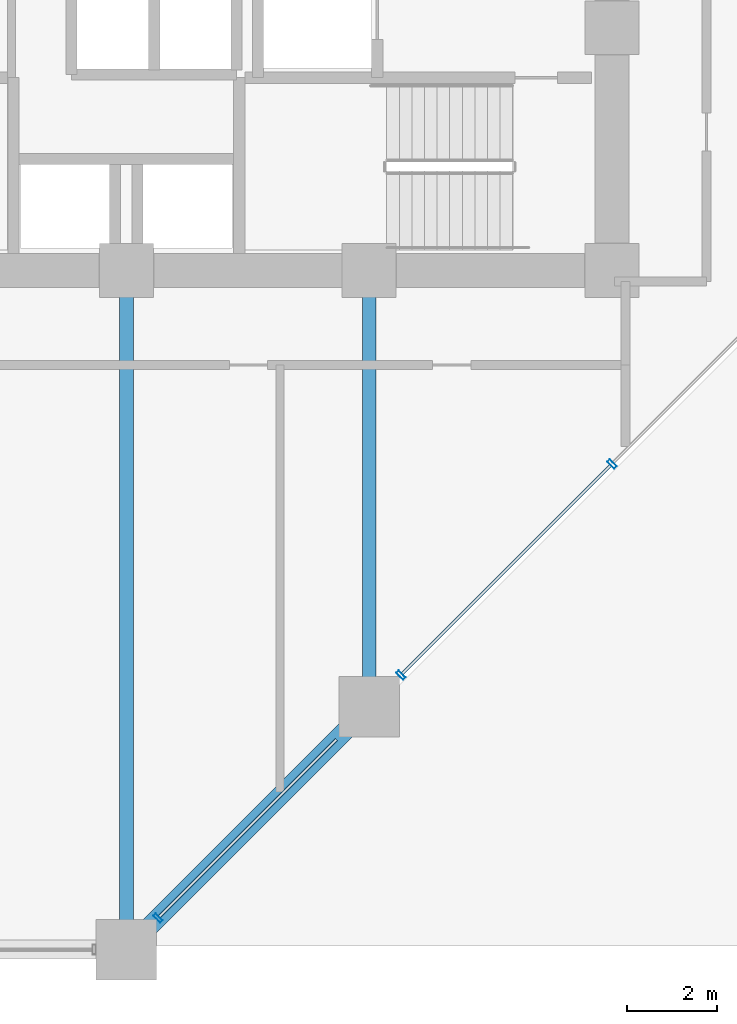
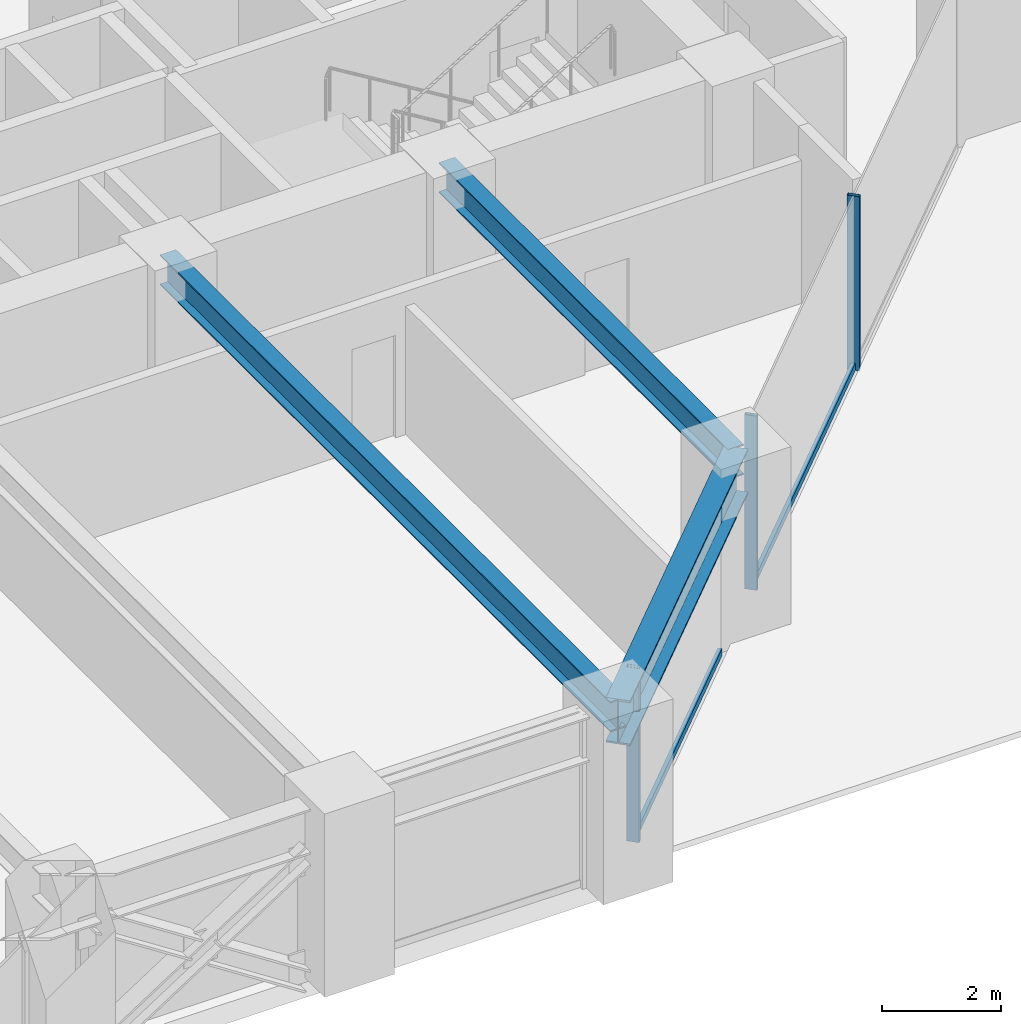
# One storey, part 7 of 27: 5 members, 3 beams, 1 element without a shape of its own.
"""IFC4 building model written with IfcOpenShell, lengths in metres."""

import ifcopenshell
import ifcopenshell.guid

model = None  # the IFC model being written
_history = None  # IfcOwnerHistory: only IFC2X3 demands one
_inside = {}  # id of a spatial element -> (the spatial element, [elements in it])
_under = {}  # id of a project, library or spatial element -> (it, [spatial elements below it])
_declared = {}  # id of a project -> (the project, [libraries it declares])
_typed = {}  # id of a type object -> (the type object, [elements of that type])
_made_of = {}  # id of a material, layer set ... -> (it, [elements and type objects made of it])


def new_model(schema):
    """Start an empty IFC model of exactly this schema.

    Asked for "IFC4X3", IfcOpenShell would pick the latest addendum, in which some entities
    have other attributes; the version numbers below select the first issue.
    IFC2X3 requires an IfcOwnerHistory on every rooted entity: one is made here for all.
    """
    global model, _history
    if schema == "IFC4X3":
        model = ifcopenshell.file(schema_version=(4, 3, 0, 0))
    else:
        model = ifcopenshell.file(schema=schema)
    _inside.clear()
    _under.clear()
    _declared.clear()
    _typed.clear()
    _made_of.clear()
    _history = None
    if model.schema == "IFC2X3":
        org = make("IfcOrganization", Name="unknown")
        user = make(
            "IfcPersonAndOrganization",
            ThePerson=make("IfcPerson", FamilyName="unknown"),
            TheOrganization=org,
        )
        app = make(
            "IfcApplication",
            ApplicationDeveloper=org,
            Version="unknown",
            ApplicationFullName="unknown",
            ApplicationIdentifier="unknown",
        )
        _history = make(
            "IfcOwnerHistory",
            OwningUser=user,
            OwningApplication=app,
            ChangeAction="ADDED",
            CreationDate=0,
        )
    return model


def make(cls, **values):
    """One entity of the class cls with the attributes given. An attribute that is None is left unset."""
    return model.create_entity(
        cls, **{name: value for name, value in values.items() if value is not None}
    )


def rooted(cls, **values):
    """An entity with a GlobalId (a new one), such as an element, a storey or a relation."""
    return make(cls, GlobalId=ifcopenshell.guid.new(), OwnerHistory=_history, **values)


def si_unit(unit_type, name, prefix=None):
    """IfcSIUnit, for example si_unit("LENGTHUNIT", "METRE", prefix="MILLI")."""
    return make("IfcSIUnit", UnitType=unit_type, Prefix=prefix, Name=name)


def assignment(units):
    """IfcUnitAssignment: the units of a project."""
    return None if units is None else make("IfcUnitAssignment", Units=units)


def point(xyz):
    """IfcCartesianPoint."""
    return None if xyz is None else make("IfcCartesianPoint", Coordinates=xyz)


def direction(xyz):
    """IfcDirection."""
    return None if xyz is None else make("IfcDirection", DirectionRatios=xyz)


def frame(location, z_axis=None, x_axis=None):
    """IfcAxis2Placement3D, a coordinate frame: its origin and axes. An axis left out is left unset."""
    return make(
        "IfcAxis2Placement3D",
        Location=point(location),
        Axis=direction(z_axis),
        RefDirection=direction(x_axis),
    )


def frame_2d(location, x_axis=None):
    """IfcAxis2Placement2D, a coordinate frame in the plane: its origin and x axis."""
    return make(
        "IfcAxis2Placement2D", Location=point(location), RefDirection=direction(x_axis)
    )


def origin():
    """The frame at (0, 0, 0) with its axes left unset."""
    return frame((0.0, 0.0, 0.0))


def origin_2d():
    """The frame at (0, 0) in the plane with its x axis left unset."""
    return frame_2d((0.0, 0.0))


def place(relative_to, where):
    """IfcLocalPlacement: puts the frame where relative to a parent placement (None: the world)."""
    return make(
        "IfcLocalPlacement", PlacementRelTo=relative_to, RelativePlacement=where
    )


def context(
    kind, dimensions, precision=None, world=None, true_north=None, identifier=None
):
    """IfcGeometricRepresentationContext, for example the 3D "Model" context."""
    return make(
        "IfcGeometricRepresentationContext",
        ContextIdentifier=identifier,
        ContextType=kind,
        CoordinateSpaceDimension=dimensions,
        Precision=precision,
        WorldCoordinateSystem=world,
        TrueNorth=true_north,
    )


def subcontext(parent, identifier, kind, view, scale=None):
    """IfcGeometricRepresentationSubContext, for example "Body" below "Model"."""
    return make(
        "IfcGeometricRepresentationSubContext",
        ContextIdentifier=identifier,
        ContextType=kind,
        ParentContext=parent,
        TargetScale=scale,
        TargetView=view,
    )


def project(units=None, contexts=None):
    """IfcProject with its units and contexts."""
    return rooted(
        "IfcProject",
        Name="project",
        RepresentationContexts=contexts,
        UnitsInContext=assignment(units),
    )


def spatial(cls, under=None, at=None, **own):
    """A site, building, storey or space (cls), placed at a placement, below another one or the project."""
    s = rooted(cls, ObjectPlacement=at, **own)
    if under is not None:
        _under.setdefault(under.id(), (under, []))[1].append(s)
    return s


def profile(cls, at=None, kind="AREA", **sizes):
    """A parametric profile (cls). Its sizes go by their IFC names, for example OverallWidth=200.0."""
    return make(cls, ProfileType=kind, Position=at, **sizes)


def hollow_rectangle(**sizes):
    """IfcRectangleHollowProfileDef."""
    return profile("IfcRectangleHollowProfileDef", **sizes)


def i_section(**sizes):
    """IfcIShapeProfileDef."""
    return profile("IfcIShapeProfileDef", **sizes)


def extrude(swept, where, along, depth):
    """IfcExtrudedAreaSolid: the profile swept, set in the frame where, extruded along a direction by depth."""
    return make(
        "IfcExtrudedAreaSolid",
        SweptArea=swept,
        Position=where,
        ExtrudedDirection=direction(along),
        Depth=depth,
    )


def shape(context_of_items, identifier, shape_type, items):
    """IfcShapeRepresentation: the items that make up one representation, for example the "Body"."""
    return make(
        "IfcShapeRepresentation",
        ContextOfItems=context_of_items,
        RepresentationIdentifier=identifier,
        RepresentationType=shape_type,
        Items=items,
    )


def material(Name=None, Category=None):
    """IfcMaterial."""
    return make("IfcMaterial", Name=Name, Category=Category)


def layer(
    of_material, thickness, ventilated=None, Name=None, Category=None, Priority=None
):
    """IfcMaterialLayer: one layer of a wall or slab, of a material (None: an air gap)."""
    return make(
        "IfcMaterialLayer",
        Material=of_material,
        LayerThickness=thickness,
        IsVentilated=ventilated,
        Name=Name,
        Category=Category,
        Priority=Priority,
    )


def layer_set(layers, Name=None):
    """IfcMaterialLayerSet."""
    return make("IfcMaterialLayerSet", MaterialLayers=layers, LayerSetName=Name)


def material_profile(
    of_material, cross_section, Name=None, Category=None, Priority=None
):
    """IfcMaterialProfile: a cross section and its material."""
    return make(
        "IfcMaterialProfile",
        Name=Name,
        Material=of_material,
        Profile=cross_section,
        Priority=Priority,
        Category=Category,
    )


def profile_set(profiles, Name=None, composite=None):
    """IfcMaterialProfileSet."""
    return make(
        "IfcMaterialProfileSet",
        Name=Name,
        MaterialProfiles=profiles,
        CompositeProfile=composite,
    )


def made_of(thing, what):
    """Note that an element or type object is made of a material, layer set ...; save() writes the relation."""
    if what is not None:
        _made_of.setdefault(what.id(), (what, []))[1].append(thing)
    return thing


def type_object(cls, material=None, **own):
    """A type object (cls), such as IfcWallType, which elements share."""
    return made_of(rooted(cls, **own), material)


def element(
    cls,
    number,
    at=None,
    inside=None,
    cuts=None,
    type_object=None,
    material=None,
    context=None,
    identifier="Body",
    shape_type=None,
    held_by="IfcProductDefinitionShape",
    body=None,
    shapes=None,
    **own,
):
    """One element of the class cls, such as IfcWall. Its Tag is "e" and its number.

    at: its placement. inside: the storey or other place that contains it. cuts: it is an
    opening in that element (IfcRelVoidsElement). A single representation is given by context,
    identifier, shape_type and body (its items); several are given by shapes. held_by: the class
    of the entity that holds the representations. save() writes the other relations.
    """
    e = rooted(cls, Tag="e%d" % number, ObjectPlacement=at, **own)
    if body is not None:
        shapes = [shape(context, identifier, shape_type, body)]
    if shapes is not None:
        e.Representation = make(held_by, Representations=shapes)
    if inside is not None:
        _inside.setdefault(inside.id(), (inside, []))[1].append(e)
    if cuts is not None:
        rooted(
            "IfcRelVoidsElement", RelatingBuildingElement=cuts, RelatedOpeningElement=e
        )
    if type_object is not None:
        _typed.setdefault(type_object.id(), (type_object, []))[1].append(e)
    return made_of(e, material)


def aggregate(whole, parts):
    """IfcRelAggregates: a whole, such as a stair, and the parts it consists of."""
    return rooted("IfcRelAggregates", RelatingObject=whole, RelatedObjects=parts)


def save(model, path):
    """Write the relations noted so far, then the file.

    IfcRelAggregates (storeys below a building ...), IfcRelContainedInSpatialStructure (elements
    in a storey), IfcRelDefinesByType, IfcRelAssociatesMaterial and IfcRelDeclares: one each for
    every whole, place, type object, material and project.
    """
    for whole, parts in _under.values():
        aggregate(whole, parts)
    for where, things in _inside.values():
        rooted(
            "IfcRelContainedInSpatialStructure",
            RelatedElements=things,
            RelatingStructure=where,
        )
    for kind, things in _typed.values():
        rooted("IfcRelDefinesByType", RelatedObjects=things, RelatingType=kind)
    for what, things in _made_of.values():
        rooted("IfcRelAssociatesMaterial", RelatedObjects=things, RelatingMaterial=what)
    for by, libraries in _declared.values():
        rooted("IfcRelDeclares", RelatingContext=by, RelatedDefinitions=libraries)
    model.write(path)


model = new_model("IFC4")

# Units and contexts
model_context = context("Model", 3, precision=1e-05, world=origin(), true_north=direction((0.0, 1.0)))
body_context = subcontext(model_context, "Body", "Model", "MODEL_VIEW")
ifc_project = project(units=[si_unit("LENGTHUNIT", "METRE"), si_unit("AREAUNIT", "SQUARE_METRE"), si_unit("VOLUMEUNIT", "CUBIC_METRE"), si_unit("PLANEANGLEUNIT", "RADIAN"), si_unit("MASSUNIT", "GRAM", prefix="KILO")], contexts=[model_context])

# Site, building, storey
site_placement = place(None, origin())
site = spatial("IfcSite", under=ifc_project, at=site_placement, CompositionType="ELEMENT")
building_placement = place(site_placement, origin())
building = spatial("IfcBuilding", under=site, at=building_placement, Name="Surkhivell Harbour Commons", CompositionType="ELEMENT")
storey_placement = place(building_placement, frame((0.0, 0.0, 22.5)))
storey = spatial("IfcBuildingStorey", under=building, at=storey_placement, Name="L05", CompositionType="ELEMENT", Elevation=22.5)

# Beams
ifc_material_1 = material(Name="Steel S355", Category="steel")
ifc_material_profile_1 = material_profile(ifc_material_1, i_section(OverallWidth=0.306884765625, OverallDepth=0.6201171875, WebThickness=0.01416015625, FlangeThickness=0.023681640625, at=origin_2d()), Name="UB610x305x179")
ifc_profile_set_1 = profile_set([ifc_material_profile_1], Name="Steel S355")
beam_type_1 = type_object("IfcBeamType", Name="BM-GRD-610A", PredefinedType="BEAM", material=ifc_profile_set_1)
beam_1_placement = place(storey_placement, frame((0.0, -25.89990234375, 3.260009765625), z_axis=(0.0, 1.0, 0.0), x_axis=(-1.0, 0.0, 0.0)))
element("IfcBeam", 1, at=beam_1_placement, inside=storey, type_object=beam_type_1, Name="L05 Floor Girder (0.0,-25.9)", PredefinedType="BEAM", context=body_context, shape_type="SweptSolid", body=[
    extrude(i_section(OverallWidth=0.306884765625, OverallDepth=0.6201171875, WebThickness=0.01416015625, FlangeThickness=0.023681640625, at=origin_2d()), origin(), (0.0, 0.0, 1.0), 15.099853515625),
])
beam_2_placement = place(storey_placement, frame((5.39990234375, -20.5, 3.260009765625), z_axis=(0.0, 1.0, 0.0), x_axis=(-1.0, 0.0, 0.0)))
element("IfcBeam", 2, at=beam_2_placement, inside=storey, type_object=beam_type_1, Name="L05 Floor Girder (5.4,-20.5)", PredefinedType="BEAM", context=body_context, shape_type="SweptSolid", body=[
    extrude(i_section(OverallWidth=0.306884765625, OverallDepth=0.6201171875, WebThickness=0.01416015625, FlangeThickness=0.023681640625, at=origin_2d()), origin(), (0.0, 0.0, 1.0), 9.699951171875),
])
ifc_material_2 = material(Name="Steel S460", Category="steel")
ifc_material_profile_2 = material_profile(ifc_material_2, i_section(OverallWidth=0.419921875, OverallDepth=0.9208984375, WebThickness=0.021484375, FlangeThickness=0.03662109375, at=origin_2d()), Name="UB914x419x388")
ifc_profile_set_2 = profile_set([ifc_material_profile_2], Name="Steel S460")
beam_type_2 = type_object("IfcBeamType", Name="BM-SPN-914A", PredefinedType="SPANDREL", material=ifc_profile_set_2)
beam_3_placement = place(storey_placement, frame((0.0, -25.89990234375, 3.109619140625), z_axis=(0.707106781187, 0.707106781187, 0.0), x_axis=(-0.707106781187, 0.707106781187, 0.0)))
element("IfcBeam", 3, at=beam_3_placement, inside=storey, type_object=beam_type_2, Name="L05 Tube Spandrel (-0.0,-25.9)", PredefinedType="SPANDREL", context=body_context, shape_type="SweptSolid", body=[
    extrude(i_section(OverallWidth=0.419921875, OverallDepth=0.9208984375, WebThickness=0.021484375, FlangeThickness=0.03662109375, at=origin_2d()), origin(), (0.0, 0.0, 1.0), 7.63671875),
])

# Curtain wall, members
ifc_material_3 = material(Name="Anodised pale-metal aluminium and insulated glazing", Category="aluminium")
ifc_layer = layer(ifc_material_3, 0.219970703125)
ifc_layer_set = layer_set([ifc_layer], Name="Anodised pale-metal aluminium and insulated glazing")
curtain_wall_type = type_object("IfcCurtainWallType", Name="CW-SYS-Z1", PredefinedType="NOTDEFINED", material=ifc_layer_set)
curtain_wall_placement = place(storey_placement, origin())
curtain_wall = element("IfcCurtainWall", 4, at=curtain_wall_placement, inside=storey, type_object=curtain_wall_type, Name="L05 Curtain Wall CW-L05-E01", PredefinedType="NOTDEFINED")
ifc_material_4 = material(Name="Anodised pale-metal aluminium alloy 6063-T6", Category="aluminium")
ifc_material_profile_3 = material_profile(ifc_material_4, hollow_rectangle(XDim=0.074951171875, YDim=0.219970703125, WallThickness=0.00390625, at=origin_2d()), Name="ALU-MULL-75x220")
ifc_profile_set_3 = profile_set([ifc_material_profile_3], Name="Anodised pale-metal aluminium alloy 6063-T6")
member_type_1 = type_object("IfcMemberType", Name="CWM-220", PredefinedType="MULLION", material=ifc_profile_set_3)
member_1_placement = place(storey_placement, frame((0.703369140625, -25.19677734375, 0.0), z_axis=(0.0, 0.0, 1.0), x_axis=(0.707106781187, 0.707106781187, 0.0)))
member_1 = element("IfcMember", 5, at=member_1_placement, type_object=member_type_1, Name="CW-Z1 mullion 1", PredefinedType="MULLION", context=body_context, shape_type="SweptSolid", body=[
    extrude(hollow_rectangle(XDim=0.074951171875, YDim=0.219970703125, WallThickness=0.00390625, at=origin_2d()), origin(), (0.0, 0.0, 1.0), 3.570068359375),
])
member_2_placement = place(storey_placement, frame((6.103271484375, -19.796630859375, 0.0), z_axis=(0.0, 0.0, 1.0), x_axis=(0.707106781187, 0.707106781187, 0.0)))
member_2 = element("IfcMember", 6, at=member_2_placement, type_object=member_type_1, Name="CW-Z1 mullion 2", PredefinedType="MULLION", context=body_context, shape_type="SweptSolid", body=[
    extrude(hollow_rectangle(XDim=0.074951171875, YDim=0.219970703125, WallThickness=0.00390625, at=origin_2d()), origin(), (0.0, 0.0, 1.0), 3.570068359375),
])
member_3_placement = place(storey_placement, frame((10.800048828125, -15.10009765625, 0.0), z_axis=(0.0, 0.0, 1.0), x_axis=(0.707106781187, 0.707106781187, 0.0)))
member_3 = element("IfcMember", 7, at=member_3_placement, type_object=member_type_1, Name="CW-Z1 mullion 3", PredefinedType="MULLION", context=body_context, shape_type="SweptSolid", body=[
    extrude(hollow_rectangle(XDim=0.074951171875, YDim=0.219970703125, WallThickness=0.00390625, at=origin_2d()), origin(), (0.0, 0.0, 1.0), 3.570068359375),
])
ifc_material_profile_4 = material_profile(ifc_material_4, hollow_rectangle(XDim=0.074951171875, YDim=0.14990234375, WallThickness=0.00341796875, at=origin_2d()), Name="ALU-TRAN-75x150")
ifc_profile_set_4 = profile_set([ifc_material_profile_4], Name="Anodised pale-metal aluminium alloy 6063-T6")
member_type_2 = type_object("IfcMemberType", Name="CWT-150", PredefinedType="USERDEFINED", material=ifc_profile_set_4)
member_4_placement = place(storey_placement, frame((0.729736328125, -25.170166015625, 0.074951171875), z_axis=(0.707106781187, 0.707106781187, 0.0), x_axis=(-0.707106781187, 0.707106781187, 0.0)))
member_4 = element("IfcMember", 8, at=member_4_placement, type_object=member_type_2, Name="CW-Z1 transom 1.1", ObjectType="TRANSOM", PredefinedType="USERDEFINED", context=body_context, shape_type="SweptSolid", body=[
    extrude(hollow_rectangle(XDim=0.074951171875, YDim=0.14990234375, WallThickness=0.00341796875, at=origin_2d()), origin(), (0.0, 0.0, 1.0), 5.572509765625),
])
member_5_placement = place(storey_placement, frame((6.1298828125, -19.770263671875, 0.074951171875), z_axis=(0.707088192925, 0.70712536896, 0.0), x_axis=(-0.70712536896, 0.707088192925, 0.0)))
member_5 = element("IfcMember", 9, at=member_5_placement, type_object=member_type_2, Name="CW-Z1 transom 2.1", ObjectType="TRANSOM", PredefinedType="USERDEFINED", context=body_context, shape_type="SweptSolid", body=[
    extrude(hollow_rectangle(XDim=0.074951171875, YDim=0.14990234375, WallThickness=0.00341796875, at=origin_2d()), origin(), (0.0, 0.0, 1.0), 6.567138671875),
])
aggregate(curtain_wall, [member_1, member_4, member_2, member_3, member_5])

save(model, "model.ifc")
